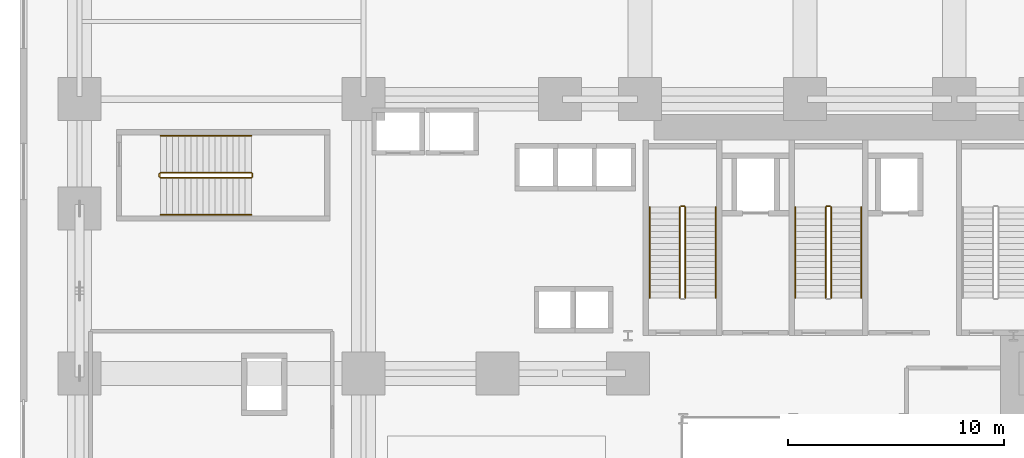
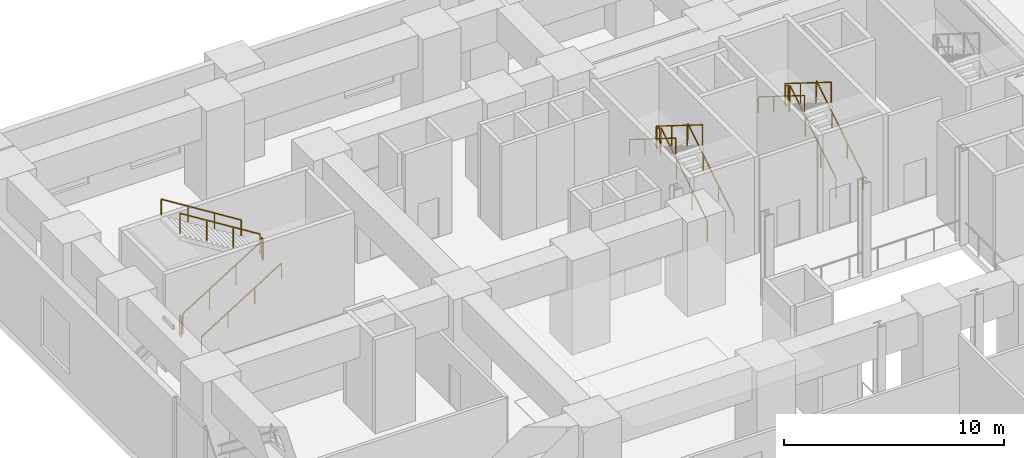
# One storey, part 16 of 17: 16 railings.
"""IFC4 building model written with IfcOpenShell, lengths in metres."""

import ifcopenshell
import ifcopenshell.guid

model = None  # the IFC model being written
_history = None  # IfcOwnerHistory: only IFC2X3 demands one
_inside = {}  # id of a spatial element -> (the spatial element, [elements in it])
_under = {}  # id of a project, library or spatial element -> (it, [spatial elements below it])
_declared = {}  # id of a project -> (the project, [libraries it declares])
_typed = {}  # id of a type object -> (the type object, [elements of that type])
_made_of = {}  # id of a material, layer set ... -> (it, [elements and type objects made of it])


def new_model(schema):
    """Start an empty IFC model of exactly this schema.

    Asked for "IFC4X3", IfcOpenShell would pick the latest addendum, in which some entities
    have other attributes; the version numbers below select the first issue.
    IFC2X3 requires an IfcOwnerHistory on every rooted entity: one is made here for all.
    """
    global model, _history
    if schema == "IFC4X3":
        model = ifcopenshell.file(schema_version=(4, 3, 0, 0))
    else:
        model = ifcopenshell.file(schema=schema)
    _inside.clear()
    _under.clear()
    _declared.clear()
    _typed.clear()
    _made_of.clear()
    _history = None
    if model.schema == "IFC2X3":
        org = make("IfcOrganization", Name="unknown")
        user = make(
            "IfcPersonAndOrganization",
            ThePerson=make("IfcPerson", FamilyName="unknown"),
            TheOrganization=org,
        )
        app = make(
            "IfcApplication",
            ApplicationDeveloper=org,
            Version="unknown",
            ApplicationFullName="unknown",
            ApplicationIdentifier="unknown",
        )
        _history = make(
            "IfcOwnerHistory",
            OwningUser=user,
            OwningApplication=app,
            ChangeAction="ADDED",
            CreationDate=0,
        )
    return model


def make(cls, **values):
    """One entity of the class cls with the attributes given. An attribute that is None is left unset."""
    return model.create_entity(
        cls, **{name: value for name, value in values.items() if value is not None}
    )


def rooted(cls, **values):
    """An entity with a GlobalId (a new one), such as an element, a storey or a relation."""
    return make(cls, GlobalId=ifcopenshell.guid.new(), OwnerHistory=_history, **values)


def si_unit(unit_type, name, prefix=None):
    """IfcSIUnit, for example si_unit("LENGTHUNIT", "METRE", prefix="MILLI")."""
    return make("IfcSIUnit", UnitType=unit_type, Prefix=prefix, Name=name)


def assignment(units):
    """IfcUnitAssignment: the units of a project."""
    return None if units is None else make("IfcUnitAssignment", Units=units)


def point(xyz):
    """IfcCartesianPoint."""
    return None if xyz is None else make("IfcCartesianPoint", Coordinates=xyz)


def direction(xyz):
    """IfcDirection."""
    return None if xyz is None else make("IfcDirection", DirectionRatios=xyz)


def frame(location, z_axis=None, x_axis=None):
    """IfcAxis2Placement3D, a coordinate frame: its origin and axes. An axis left out is left unset."""
    return make(
        "IfcAxis2Placement3D",
        Location=point(location),
        Axis=direction(z_axis),
        RefDirection=direction(x_axis),
    )


def frame_2d(location, x_axis=None):
    """IfcAxis2Placement2D, a coordinate frame in the plane: its origin and x axis."""
    return make(
        "IfcAxis2Placement2D", Location=point(location), RefDirection=direction(x_axis)
    )


def origin():
    """The frame at (0, 0, 0) with its axes left unset."""
    return frame((0.0, 0.0, 0.0))


def origin_2d():
    """The frame at (0, 0) in the plane with its x axis left unset."""
    return frame_2d((0.0, 0.0))


def place(relative_to, where):
    """IfcLocalPlacement: puts the frame where relative to a parent placement (None: the world)."""
    return make(
        "IfcLocalPlacement", PlacementRelTo=relative_to, RelativePlacement=where
    )


def context(
    kind, dimensions, precision=None, world=None, true_north=None, identifier=None
):
    """IfcGeometricRepresentationContext, for example the 3D "Model" context."""
    return make(
        "IfcGeometricRepresentationContext",
        ContextIdentifier=identifier,
        ContextType=kind,
        CoordinateSpaceDimension=dimensions,
        Precision=precision,
        WorldCoordinateSystem=world,
        TrueNorth=true_north,
    )


def subcontext(parent, identifier, kind, view, scale=None):
    """IfcGeometricRepresentationSubContext, for example "Body" below "Model"."""
    return make(
        "IfcGeometricRepresentationSubContext",
        ContextIdentifier=identifier,
        ContextType=kind,
        ParentContext=parent,
        TargetScale=scale,
        TargetView=view,
    )


def project(units=None, contexts=None):
    """IfcProject with its units and contexts."""
    return rooted(
        "IfcProject",
        Name="project",
        RepresentationContexts=contexts,
        UnitsInContext=assignment(units),
    )


def spatial(cls, under=None, at=None, **own):
    """A site, building, storey or space (cls), placed at a placement, below another one or the project."""
    s = rooted(cls, ObjectPlacement=at, **own)
    if under is not None:
        _under.setdefault(under.id(), (under, []))[1].append(s)
    return s


def profile(cls, at=None, kind="AREA", **sizes):
    """A parametric profile (cls). Its sizes go by their IFC names, for example OverallWidth=200.0."""
    return make(cls, ProfileType=kind, Position=at, **sizes)


def rectangle(**sizes):
    """IfcRectangleProfileDef."""
    return profile("IfcRectangleProfileDef", **sizes)


def extrude(swept, where, along, depth):
    """IfcExtrudedAreaSolid: the profile swept, set in the frame where, extruded along a direction by depth."""
    return make(
        "IfcExtrudedAreaSolid",
        SweptArea=swept,
        Position=where,
        ExtrudedDirection=direction(along),
        Depth=depth,
    )


def shape(context_of_items, identifier, shape_type, items):
    """IfcShapeRepresentation: the items that make up one representation, for example the "Body"."""
    return make(
        "IfcShapeRepresentation",
        ContextOfItems=context_of_items,
        RepresentationIdentifier=identifier,
        RepresentationType=shape_type,
        Items=items,
    )


def source(mapping_origin, context_of_items, identifier, shape_type, items):
    """IfcRepresentationMap: a shape defined once, which mapped items show again and again."""
    return make(
        "IfcRepresentationMap",
        MappingOrigin=mapping_origin,
        MappedRepresentation=shape(context_of_items, identifier, shape_type, items),
    )


def transform(
    local_origin,
    x_axis=None,
    y_axis=None,
    z_axis=None,
    scale=None,
    scale2=None,
    scale3=None,
    uniform=True,
):
    """IfcCartesianTransformationOperator3D, or its non-uniform kind. x_axis, y_axis, z_axis: its Axis1, 2, 3."""
    if uniform:
        return make(
            "IfcCartesianTransformationOperator3D",
            Axis1=direction(x_axis),
            Axis2=direction(y_axis),
            LocalOrigin=point(local_origin),
            Scale=scale,
            Axis3=direction(z_axis),
        )
    return make(
        "IfcCartesianTransformationOperator3DnonUniform",
        Axis1=direction(x_axis),
        Axis2=direction(y_axis),
        LocalOrigin=point(local_origin),
        Scale=scale,
        Axis3=direction(z_axis),
        Scale2=scale2,
        Scale3=scale3,
    )


def mapped(mapping_source, mapping_target):
    """IfcMappedItem: shows the shape of a source again, moved by a transform."""
    return make(
        "IfcMappedItem", MappingSource=mapping_source, MappingTarget=mapping_target
    )


def material(Name=None, Category=None):
    """IfcMaterial."""
    return make("IfcMaterial", Name=Name, Category=Category)


def made_of(thing, what):
    """Note that an element or type object is made of a material, layer set ...; save() writes the relation."""
    if what is not None:
        _made_of.setdefault(what.id(), (what, []))[1].append(thing)
    return thing


def type_object(cls, material=None, **own):
    """A type object (cls), such as IfcWallType, which elements share."""
    return made_of(rooted(cls, **own), material)


def element(
    cls,
    number,
    at=None,
    inside=None,
    cuts=None,
    type_object=None,
    material=None,
    context=None,
    identifier="Body",
    shape_type=None,
    held_by="IfcProductDefinitionShape",
    body=None,
    shapes=None,
    **own,
):
    """One element of the class cls, such as IfcWall. Its Tag is "e" and its number.

    at: its placement. inside: the storey or other place that contains it. cuts: it is an
    opening in that element (IfcRelVoidsElement). A single representation is given by context,
    identifier, shape_type and body (its items); several are given by shapes. held_by: the class
    of the entity that holds the representations. save() writes the other relations.
    """
    e = rooted(cls, Tag="e%d" % number, ObjectPlacement=at, **own)
    if body is not None:
        shapes = [shape(context, identifier, shape_type, body)]
    if shapes is not None:
        e.Representation = make(held_by, Representations=shapes)
    if inside is not None:
        _inside.setdefault(inside.id(), (inside, []))[1].append(e)
    if cuts is not None:
        rooted(
            "IfcRelVoidsElement", RelatingBuildingElement=cuts, RelatedOpeningElement=e
        )
    if type_object is not None:
        _typed.setdefault(type_object.id(), (type_object, []))[1].append(e)
    return made_of(e, material)


def aggregate(whole, parts):
    """IfcRelAggregates: a whole, such as a stair, and the parts it consists of."""
    return rooted("IfcRelAggregates", RelatingObject=whole, RelatedObjects=parts)


def save(model, path):
    """Write the relations noted so far, then the file.

    IfcRelAggregates (storeys below a building ...), IfcRelContainedInSpatialStructure (elements
    in a storey), IfcRelDefinesByType, IfcRelAssociatesMaterial and IfcRelDeclares: one each for
    every whole, place, type object, material and project.
    """
    for whole, parts in _under.values():
        aggregate(whole, parts)
    for where, things in _inside.values():
        rooted(
            "IfcRelContainedInSpatialStructure",
            RelatedElements=things,
            RelatingStructure=where,
        )
    for kind, things in _typed.values():
        rooted("IfcRelDefinesByType", RelatedObjects=things, RelatingType=kind)
    for what, things in _made_of.values():
        rooted("IfcRelAssociatesMaterial", RelatedObjects=things, RelatingMaterial=what)
    for by, libraries in _declared.values():
        rooted("IfcRelDeclares", RelatingContext=by, RelatedDefinitions=libraries)
    model.write(path)


model = new_model("IFC4")

# Units and contexts
model_context = context("Model", 3, precision=1e-05, world=origin(), true_north=direction((0.0, 1.0)))
body_context = subcontext(model_context, "Body", "Model", "MODEL_VIEW")
ifc_project = project(units=[si_unit("LENGTHUNIT", "METRE"), si_unit("AREAUNIT", "SQUARE_METRE"), si_unit("VOLUMEUNIT", "CUBIC_METRE"), si_unit("PLANEANGLEUNIT", "RADIAN"), si_unit("MASSUNIT", "GRAM", prefix="KILO")], contexts=[model_context])

# Site, building, storey
site_placement = place(None, origin())
site = spatial("IfcSite", under=ifc_project, at=site_placement, CompositionType="ELEMENT")
building_placement = place(site_placement, origin())
building = spatial("IfcBuilding", under=site, at=building_placement, Name="Vardaveli Station Tower", CompositionType="ELEMENT")
storey_placement = place(building_placement, frame((0.0, 0.0, 11.39990234375)))
storey = spatial("IfcBuildingStorey", under=building, at=storey_placement, Name="L03", CompositionType="ELEMENT", Elevation=11.39990234375)

# Railings
ifc_material = material(Name="Brushed AISI 316 stainless steel", Category="steel")
railing_type_1 = type_object("IfcRailingType", Name="RL-GUARD-1150", PredefinedType="GUARDRAIL", material=ifc_material)
shared_shape_1 = source(origin(), body_context, "Body", "SweptSolid", [
    extrude(rectangle(XDim=0.048095703125, YDim=0.048095703125, at=origin_2d()), frame((0.0, 0.0, 1.1259765625), z_axis=(-1.0, 0.0, 0.0), x_axis=(0.0, -1.0, 0.0)), (0.0, 0.0, 1.0), 0.14990234375),
    extrude(rectangle(XDim=0.0419921875, YDim=0.0419921875, at=origin_2d()), origin(), (0.0, 0.0, 1.0), 1.101806640625),
    extrude(rectangle(XDim=0.0419921875, YDim=0.0419921875, at=origin_2d()), frame((-0.14990234375, 0.0, 0.0)), (0.0, 0.0, 1.0), 1.101806640625),
])
for number, where, name in (
    (1, (31.25, 36.64990234375, 2.800048828125), "L03 ST-1 stair guard 2"),
    (2, (38.0, 36.64990234375, 2.800048828125), "L03 ST-2 stair guard 2"),
):
    element("IfcRailing", number, at=place(storey_placement, frame(where)), inside=storey, type_object=railing_type_1, Name=name, PredefinedType="GUARDRAIL", context=body_context, shape_type="MappedRepresentation", body=[
        mapped(shared_shape_1, transform((0.0, 0.0, 0.0), scale=1.0)),
    ])
shared_shape_2 = source(origin(), body_context, "Body", "SweptSolid", [
    extrude(rectangle(XDim=0.048095703125, YDim=0.048095703125, at=origin_2d()), frame((0.0, 0.0, 1.1259765625), z_axis=(0.0, 0.848009380541, 0.529981217134), x_axis=(-1.0, 0.0, 0.0)), (0.0, 0.0, 1.0), 4.953125),
    extrude(rectangle(XDim=0.0419921875, YDim=0.0419921875, at=origin_2d()), origin(), (0.0, 0.0, 1.0), 1.101806640625),
    extrude(rectangle(XDim=0.0419921875, YDim=0.0419921875, at=origin_2d()), frame((0.0, 1.400146484375, 0.875)), (0.0, 0.0, 1.0), 1.101806640625),
    extrude(rectangle(XDim=0.0419921875, YDim=0.0419921875, at=origin_2d()), frame((0.0, 2.800048828125, 1.75)), (0.0, 0.0, 1.0), 1.101806640625),
    extrude(rectangle(XDim=0.0419921875, YDim=0.0419921875, at=origin_2d()), frame((0.0, 4.2001953125, 2.625)), (0.0, 0.0, 1.0), 1.101806640625),
])
for number, where, name in (
    (3, (31.300048828125, 32.39990234375, 0.175048828125), "L03 ST-1 stair guard 1"),
    (4, (38.050048828125, 32.39990234375, 0.175048828125), "L03 ST-2 stair guard 1"),
):
    element("IfcRailing", number, at=place(storey_placement, frame(where)), inside=storey, type_object=railing_type_1, Name=name, PredefinedType="GUARDRAIL", context=body_context, shape_type="MappedRepresentation", body=[
        mapped(shared_shape_2, transform((0.0, 0.0, 0.0), scale=1.0)),
    ])
shared_shape_3 = source(origin(), body_context, "Body", "SweptSolid", [
    extrude(rectangle(XDim=0.048095703125, YDim=0.048095703125, at=origin_2d()), frame((0.0, 0.0, 1.1259765625), z_axis=(0.0, -0.848009380541, 0.529981217134), x_axis=(1.0, 0.0, 0.0)), (0.0, 0.0, 1.0), 4.953125),
    extrude(rectangle(XDim=0.0419921875, YDim=0.0419921875, at=origin_2d()), origin(), (0.0, 0.0, 1.0), 1.101806640625),
    extrude(rectangle(XDim=0.0419921875, YDim=0.0419921875, at=origin_2d()), frame((0.0, -1.400146484375, 0.875)), (0.0, 0.0, 1.0), 1.101806640625),
    extrude(rectangle(XDim=0.0419921875, YDim=0.0419921875, at=origin_2d()), frame((0.0, -2.800048828125, 1.75)), (0.0, 0.0, 1.0), 1.101806640625),
    extrude(rectangle(XDim=0.0419921875, YDim=0.0419921875, at=origin_2d()), frame((0.0, -4.2001953125, 2.625)), (0.0, 0.0, 1.0), 1.101806640625),
])
for number, where, name in (
    (5, (31.050048828125, 36.60009765625, 2.97509765625), "L03 ST-1 stair guard 3"),
    (6, (37.800048828125, 36.60009765625, 2.97509765625), "L03 ST-2 stair guard 3"),
):
    element("IfcRailing", number, at=place(storey_placement, frame(where)), inside=storey, type_object=railing_type_1, Name=name, PredefinedType="GUARDRAIL", context=body_context, shape_type="MappedRepresentation", body=[
        mapped(shared_shape_3, transform((0.0, 0.0, 0.0), scale=1.0)),
    ])
railing_type_2 = type_object("IfcRailingType", Name="RL-HAND-900", PredefinedType="HANDRAIL", material=ifc_material)
shared_shape_4 = source(origin(), body_context, "Body", "SweptSolid", [
    extrude(rectangle(XDim=0.048095703125, YDim=0.048095703125, at=origin_2d()), frame((0.0, 0.0, 0.8759765625), z_axis=(0.0, 0.848009380541, 0.529981217134), x_axis=(-1.0, 0.0, 0.0)), (0.0, 0.0, 1.0), 4.953125),
    extrude(rectangle(XDim=0.0419921875, YDim=0.0419921875, at=origin_2d()), origin(), (0.0, 0.0, 1.0), 0.851806640625),
    extrude(rectangle(XDim=0.0419921875, YDim=0.0419921875, at=origin_2d()), frame((0.0, 1.400146484375, 0.875)), (0.0, 0.0, 1.0), 0.851806640625),
    extrude(rectangle(XDim=0.0419921875, YDim=0.0419921875, at=origin_2d()), frame((0.0, 2.800048828125, 1.75)), (0.0, 0.0, 1.0), 0.851806640625),
    extrude(rectangle(XDim=0.0419921875, YDim=0.0419921875, at=origin_2d()), frame((0.0, 4.2001953125, 2.625)), (0.0, 0.0, 1.0), 0.851806640625),
])
for number, where, name in (
    (7, (32.699951171875, 32.39990234375, 0.175048828125), "L03 ST-1 stair handrail 1"),
    (8, (39.449951171875, 32.39990234375, 0.175048828125), "L03 ST-2 stair handrail 1"),
):
    element("IfcRailing", number, at=place(storey_placement, frame(where)), inside=storey, type_object=railing_type_2, Name=name, PredefinedType="HANDRAIL", context=body_context, shape_type="MappedRepresentation", body=[
        mapped(shared_shape_4, transform((0.0, 0.0, 0.0), scale=1.0)),
    ])
shared_shape_5 = source(origin(), body_context, "Body", "SweptSolid", [
    extrude(rectangle(XDim=0.048095703125, YDim=0.048095703125, at=origin_2d()), frame((0.0, 0.0, 0.8759765625), z_axis=(0.0, -0.848009380541, 0.529981217134), x_axis=(1.0, 0.0, 0.0)), (0.0, 0.0, 1.0), 4.953125),
    extrude(rectangle(XDim=0.0419921875, YDim=0.0419921875, at=origin_2d()), origin(), (0.0, 0.0, 1.0), 0.851806640625),
    extrude(rectangle(XDim=0.0419921875, YDim=0.0419921875, at=origin_2d()), frame((0.0, -1.400146484375, 0.875)), (0.0, 0.0, 1.0), 0.851806640625),
    extrude(rectangle(XDim=0.0419921875, YDim=0.0419921875, at=origin_2d()), frame((0.0, -2.800048828125, 1.75)), (0.0, 0.0, 1.0), 0.851806640625),
    extrude(rectangle(XDim=0.0419921875, YDim=0.0419921875, at=origin_2d()), frame((0.0, -4.2001953125, 2.625)), (0.0, 0.0, 1.0), 0.851806640625),
])
for number, where, name in (
    (9, (29.64990234375, 36.60009765625, 2.97509765625), "L03 ST-1 stair handrail 2"),
    (10, (36.39990234375, 36.60009765625, 2.97509765625), "L03 ST-2 stair handrail 2"),
):
    element("IfcRailing", number, at=place(storey_placement, frame(where)), inside=storey, type_object=railing_type_2, Name=name, PredefinedType="HANDRAIL", context=body_context, shape_type="MappedRepresentation", body=[
        mapped(shared_shape_5, transform((0.0, 0.0, 0.0), scale=1.0)),
    ])
shared_shape_6 = source(origin(), body_context, "Body", "SweptSolid", [
    extrude(rectangle(XDim=0.048095703125, YDim=0.048095703125, at=origin_2d()), frame((0.0, 0.0, 1.1259765625), z_axis=(0.0, 1.0, 0.0), x_axis=(-1.0, 0.0, 0.0)), (0.0, 0.0, 1.0), 0.14990234375),
    extrude(rectangle(XDim=0.0419921875, YDim=0.0419921875, at=origin_2d()), origin(), (0.0, 0.0, 1.0), 1.101806640625),
    extrude(rectangle(XDim=0.0419921875, YDim=0.0419921875, at=origin_2d()), frame((0.0, 0.14990234375, 0.0)), (0.0, 0.0, 1.0), 1.101806640625),
])
for number, where, name in (
    (11, (11.25, 38.0, 2.800048828125), "L03 ST-P1 stair guard 2"),
    (12, (6.949951171875, 38.0, 0.0), "L03 ST-P1 stair guard 4"),
):
    element("IfcRailing", number, at=place(storey_placement, frame(where)), inside=storey, type_object=railing_type_1, Name=name, PredefinedType="GUARDRAIL", context=body_context, shape_type="MappedRepresentation", body=[
        mapped(shared_shape_6, transform((0.0, 0.0, 0.0), scale=1.0)),
    ])
shared_shape_7 = source(origin(), body_context, "Body", "SweptSolid", [
    extrude(rectangle(XDim=0.048095703125, YDim=0.048095703125, at=origin_2d()), frame((0.0, 0.0, 1.1259765625), z_axis=(0.847995534698, 0.0, 0.530003370869), x_axis=(0.0, 1.0, 0.0)), (0.0, 0.0, 1.0), 4.952880859375),
    extrude(rectangle(XDim=0.0419921875, YDim=0.0419921875, at=origin_2d()), origin(), (0.0, 0.0, 1.0), 1.101806640625),
    extrude(rectangle(XDim=0.0419921875, YDim=0.0419921875, at=origin_2d()), frame((1.39990234375, 0.0, 0.875)), (0.0, 0.0, 1.0), 1.101806640625),
    extrude(rectangle(XDim=0.0419921875, YDim=0.0419921875, at=origin_2d()), frame((2.800048828125, 0.0, 1.75)), (0.0, 0.0, 1.0), 1.101806640625),
    extrude(rectangle(XDim=0.0419921875, YDim=0.0419921875, at=origin_2d()), frame((4.199951171875, 0.0, 2.625)), (0.0, 0.0, 1.0), 1.101806640625),
])
railing_1_placement = place(storey_placement, frame((7.0, 37.949951171875, 0.175048828125)))
element("IfcRailing", 13, at=railing_1_placement, inside=storey, type_object=railing_type_1, Name="L03 ST-P1 stair guard 1", PredefinedType="GUARDRAIL", context=body_context, shape_type="MappedRepresentation", body=[
    mapped(shared_shape_7, transform((0.0, 0.0, 0.0), scale=1.0)),
])
shared_shape_8 = source(origin(), body_context, "Body", "SweptSolid", [
    extrude(rectangle(XDim=0.048095703125, YDim=0.048095703125, at=origin_2d()), frame((0.0, 0.0, 1.1259765625), z_axis=(-0.847995534698, 0.0, 0.530003370869), x_axis=(0.0, -1.0, 0.0)), (0.0, 0.0, 1.0), 4.952880859375),
    extrude(rectangle(XDim=0.0419921875, YDim=0.0419921875, at=origin_2d()), origin(), (0.0, 0.0, 1.0), 1.101806640625),
    extrude(rectangle(XDim=0.0419921875, YDim=0.0419921875, at=origin_2d()), frame((-1.39990234375, 0.0, 0.875)), (0.0, 0.0, 1.0), 1.101806640625),
    extrude(rectangle(XDim=0.0419921875, YDim=0.0419921875, at=origin_2d()), frame((-2.800048828125, 0.0, 1.75)), (0.0, 0.0, 1.0), 1.101806640625),
    extrude(rectangle(XDim=0.0419921875, YDim=0.0419921875, at=origin_2d()), frame((-4.199951171875, 0.0, 2.625)), (0.0, 0.0, 1.0), 1.101806640625),
])
railing_2_placement = place(storey_placement, frame((11.199951171875, 38.199951171875, 2.97509765625)))
element("IfcRailing", 14, at=railing_2_placement, inside=storey, type_object=railing_type_1, Name="L03 ST-P1 stair guard 3", PredefinedType="GUARDRAIL", context=body_context, shape_type="MappedRepresentation", body=[
    mapped(shared_shape_8, transform((0.0, 0.0, 0.0), scale=1.0)),
])
shared_shape_9 = source(origin(), body_context, "Body", "SweptSolid", [
    extrude(rectangle(XDim=0.048095703125, YDim=0.048095703125, at=origin_2d()), frame((0.0, 0.0, 0.8759765625), z_axis=(0.847995534698, 0.0, 0.530003370869), x_axis=(0.0, 1.0, 0.0)), (0.0, 0.0, 1.0), 4.952880859375),
    extrude(rectangle(XDim=0.0419921875, YDim=0.0419921875, at=origin_2d()), origin(), (0.0, 0.0, 1.0), 0.851806640625),
    extrude(rectangle(XDim=0.0419921875, YDim=0.0419921875, at=origin_2d()), frame((1.39990234375, 0.0, 0.875)), (0.0, 0.0, 1.0), 0.851806640625),
    extrude(rectangle(XDim=0.0419921875, YDim=0.0419921875, at=origin_2d()), frame((2.800048828125, 0.0, 1.75)), (0.0, 0.0, 1.0), 0.851806640625),
    extrude(rectangle(XDim=0.0419921875, YDim=0.0419921875, at=origin_2d()), frame((4.199951171875, 0.0, 2.625)), (0.0, 0.0, 1.0), 0.851806640625),
])
railing_3_placement = place(storey_placement, frame((7.0, 36.25, 0.175048828125)))
element("IfcRailing", 15, at=railing_3_placement, inside=storey, type_object=railing_type_2, Name="L03 ST-P1 stair handrail 1", PredefinedType="HANDRAIL", context=body_context, shape_type="MappedRepresentation", body=[
    mapped(shared_shape_9, transform((0.0, 0.0, 0.0), scale=1.0)),
])
shared_shape_10 = source(origin(), body_context, "Body", "SweptSolid", [
    extrude(rectangle(XDim=0.048095703125, YDim=0.048095703125, at=origin_2d()), frame((0.0, 0.0, 0.8759765625), z_axis=(-0.847995534698, 0.0, 0.530003370869), x_axis=(0.0, -1.0, 0.0)), (0.0, 0.0, 1.0), 4.952880859375),
    extrude(rectangle(XDim=0.0419921875, YDim=0.0419921875, at=origin_2d()), origin(), (0.0, 0.0, 1.0), 0.851806640625),
    extrude(rectangle(XDim=0.0419921875, YDim=0.0419921875, at=origin_2d()), frame((-1.39990234375, 0.0, 0.875)), (0.0, 0.0, 1.0), 0.851806640625),
    extrude(rectangle(XDim=0.0419921875, YDim=0.0419921875, at=origin_2d()), frame((-2.800048828125, 0.0, 1.75)), (0.0, 0.0, 1.0), 0.851806640625),
    extrude(rectangle(XDim=0.0419921875, YDim=0.0419921875, at=origin_2d()), frame((-4.199951171875, 0.0, 2.625)), (0.0, 0.0, 1.0), 0.851806640625),
])
railing_4_placement = place(storey_placement, frame((11.199951171875, 39.89990234375, 2.97509765625)))
element("IfcRailing", 16, at=railing_4_placement, inside=storey, type_object=railing_type_2, Name="L03 ST-P1 stair handrail 2", PredefinedType="HANDRAIL", context=body_context, shape_type="MappedRepresentation", body=[
    mapped(shared_shape_10, transform((0.0, 0.0, 0.0), scale=1.0)),
])

save(model, "model.ifc")
